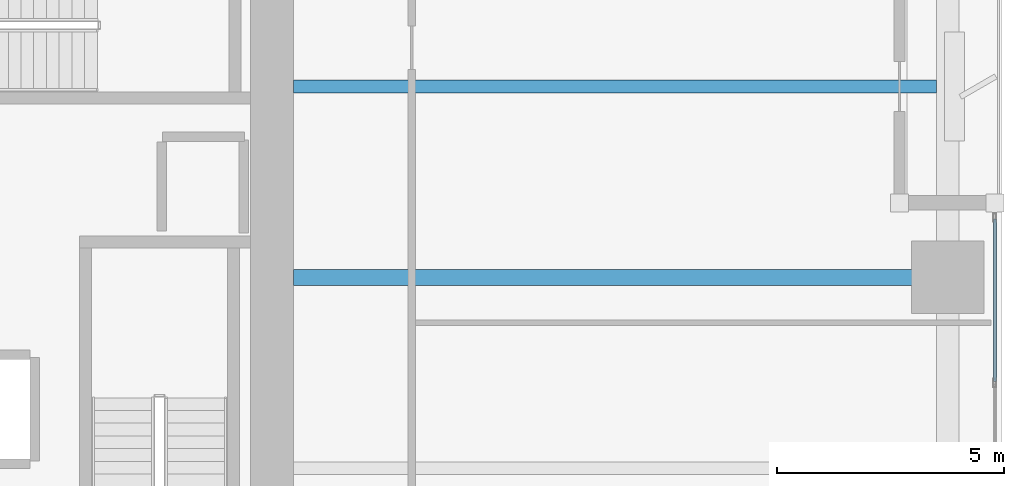
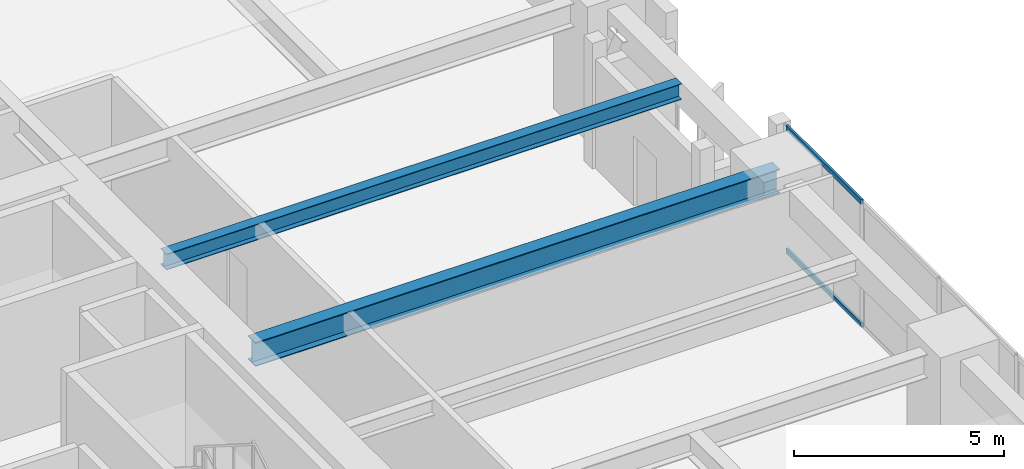
# One storey, part 9 of 29: 2 beams, 2 members, 1 element without a shape of its own.
"""IFC4 building model written with IfcOpenShell, lengths in metres."""

from ifc_helpers import new_model, si_unit, direction, frame, origin, origin_2d, place, context, subcontext, project, spatial, hollow_rectangle, i_section, extrude, material, layer, layer_set, material_profile, profile_set, type_object, element, aggregate, save


model = new_model("IFC4")

# Units and contexts
model_context = context("Model", 3, precision=1e-05, world=origin(), true_north=direction((0.0, 1.0)))
body_context = subcontext(model_context, "Body", "Model", "MODEL_VIEW")
ifc_project = project(units=[si_unit("LENGTHUNIT", "METRE"), si_unit("AREAUNIT", "SQUARE_METRE"), si_unit("VOLUMEUNIT", "CUBIC_METRE"), si_unit("PLANEANGLEUNIT", "RADIAN"), si_unit("MASSUNIT", "GRAM", prefix="KILO")], contexts=[model_context])

# Site, building, storey
site_placement = place(None, origin())
site = spatial("IfcSite", under=ifc_project, at=site_placement, CompositionType="ELEMENT")
building_placement = place(site_placement, origin())
building = spatial("IfcBuilding", under=site, at=building_placement, Name="Kiyonajd Concourse Tower", CompositionType="ELEMENT")
storey_placement = place(building_placement, frame((0.0, 0.0, 45.0)))
storey = spatial("IfcBuildingStorey", under=building, at=storey_placement, Name="L12", CompositionType="ELEMENT", Elevation=45.0)

# Beams
ifc_material_1 = material(Name="Steel ASTM A992 Grade 50", Category="steel")
ifc_material_profile_1 = material_profile(ifc_material_1, i_section(OverallWidth=0.280029296875, OverallDepth=0.462890625, WebThickness=0.0107421875, FlangeThickness=0.017333984375, at=origin_2d()), Name="W460X113")
ifc_profile_set_1 = profile_set([ifc_material_profile_1], Name="Steel ASTM A992 Grade 50")
beam_type_1 = type_object("IfcBeamType", Name="BM-JST-460A", PredefinedType="JOIST", material=ifc_profile_set_1)
beam_1_placement = place(storey_placement, frame((63.60009765625, 40.199951171875, 3.408447265625), z_axis=(1.0, 0.0, 0.0), x_axis=(0.0, 1.0, 0.0)))
element("IfcBeam", 1, at=beam_1_placement, inside=storey, type_object=beam_type_1, Name="L12 East Secondary Floor Joist", PredefinedType="JOIST", context=body_context, shape_type="SweptSolid", body=[
    extrude(i_section(OverallWidth=0.280029296875, OverallDepth=0.462890625, WebThickness=0.0107421875, FlangeThickness=0.017333984375, at=origin_2d()), origin(), (0.0, 0.0, 1.0), 14.14990234375),
])
ifc_material_profile_2 = material_profile(ifc_material_1, i_section(OverallWidth=0.35498046875, OverallDepth=0.695068359375, WebThickness=0.015380859375, FlangeThickness=0.02490234375, at=origin_2d()), Name="W690X217")
ifc_profile_set_2 = profile_set([ifc_material_profile_2], Name="Steel ASTM A992 Grade 50")
beam_type_2 = type_object("IfcBeamType", Name="BM-TWR-690", PredefinedType="BEAM", material=ifc_profile_set_2)
beam_2_placement = place(storey_placement, frame((63.60009765625, 36.0, 3.29248046875), z_axis=(1.0, 0.0, 0.0), x_axis=(0.0, 1.0, 0.0)))
element("IfcBeam", 2, at=beam_2_placement, inside=storey, type_object=beam_type_2, Name="L12 East Lease Girder", PredefinedType="BEAM", context=body_context, shape_type="SweptSolid", body=[
    extrude(i_section(OverallWidth=0.35498046875, OverallDepth=0.695068359375, WebThickness=0.015380859375, FlangeThickness=0.02490234375, at=origin_2d()), origin(), (0.0, 0.0, 1.0), 14.39990234375),
])

# Curtain wall, members
ifc_material_2 = material(Name="Thermally Broken Anodised Aluminium", Category="aluminium")
ifc_layer = layer(ifc_material_2, 0.179931640625)
ifc_layer_set = layer_set([ifc_layer], Name="Thermally Broken Anodised Aluminium")
curtain_wall_type = type_object("IfcCurtainWallType", Name="CW-SYS-02", PredefinedType="NOTDEFINED", material=ifc_layer_set)
curtain_wall_placement = place(storey_placement, origin())
curtain_wall = element("IfcCurtainWall", 3, at=curtain_wall_placement, inside=storey, type_object=curtain_wall_type, Name="L12 Unitised Curtain Wall CW2", PredefinedType="NOTDEFINED")
ifc_material_profile_3 = material_profile(ifc_material_2, hollow_rectangle(XDim=0.06494140625, YDim=0.139892578125, WallThickness=0.00390625, at=origin_2d()), Name="TRAN-65x140")
ifc_profile_set_3 = profile_set([ifc_material_profile_3], Name="Thermally Broken Anodised Aluminium")
member_type = type_object("IfcMemberType", Name="MB-CW-TRAN1", PredefinedType="USERDEFINED", material=ifc_profile_set_3)
member_1_placement = place(storey_placement, frame((79.0400390625, 37.284912109375, 0.032470703125), z_axis=(0.0, -1.0, 0.0), x_axis=(1.0, 0.0, 0.0)))
member_1 = element("IfcMember", 4, at=member_1_placement, type_object=member_type, Name="CW2 transom 1.1", ObjectType="TRANSOM", PredefinedType="USERDEFINED", context=body_context, shape_type="SweptSolid", body=[
    extrude(hollow_rectangle(XDim=0.06494140625, YDim=0.139892578125, WallThickness=0.00390625, at=origin_2d()), origin(), (0.0, 0.0, 1.0), 3.57568359375),
])
member_2_placement = place(storey_placement, frame((79.0400390625, 37.284912109375, 3.607421875), z_axis=(0.0, -1.0, 0.0), x_axis=(1.0, 0.0, 0.0)))
member_2 = element("IfcMember", 5, at=member_2_placement, type_object=member_type, Name="CW2 transom 1.2", ObjectType="TRANSOM", PredefinedType="USERDEFINED", context=body_context, shape_type="SweptSolid", body=[
    extrude(hollow_rectangle(XDim=0.06494140625, YDim=0.139892578125, WallThickness=0.00390625, at=origin_2d()), origin(), (0.0, 0.0, 1.0), 3.57568359375),
])
aggregate(curtain_wall, [member_1, member_2])

save(model, "model.ifc")
